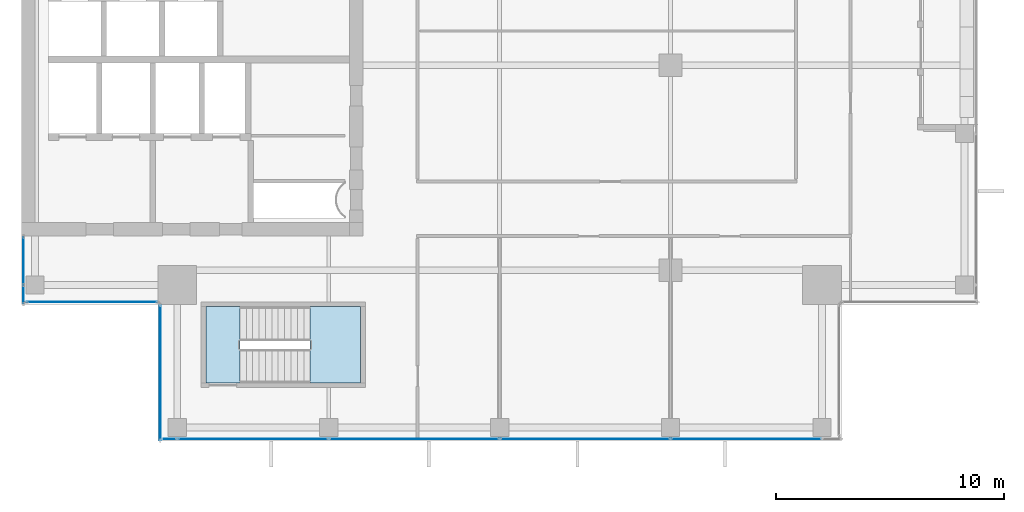
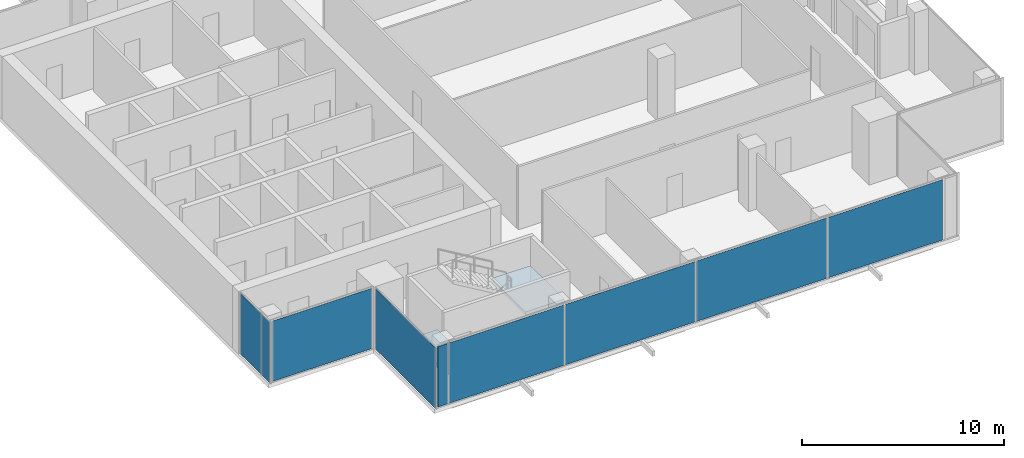
# One storey, part 19 of 29: 9 plates, 2 slabs, 5 elements without a shape of their own.
"""IFC4 building model written with IfcOpenShell, lengths in metres."""

import ifcopenshell
import ifcopenshell.guid

model = None  # the IFC model being written
_history = None  # IfcOwnerHistory: only IFC2X3 demands one
_inside = {}  # id of a spatial element -> (the spatial element, [elements in it])
_under = {}  # id of a project, library or spatial element -> (it, [spatial elements below it])
_declared = {}  # id of a project -> (the project, [libraries it declares])
_typed = {}  # id of a type object -> (the type object, [elements of that type])
_made_of = {}  # id of a material, layer set ... -> (it, [elements and type objects made of it])


def new_model(schema):
    """Start an empty IFC model of exactly this schema.

    Asked for "IFC4X3", IfcOpenShell would pick the latest addendum, in which some entities
    have other attributes; the version numbers below select the first issue.
    IFC2X3 requires an IfcOwnerHistory on every rooted entity: one is made here for all.
    """
    global model, _history
    if schema == "IFC4X3":
        model = ifcopenshell.file(schema_version=(4, 3, 0, 0))
    else:
        model = ifcopenshell.file(schema=schema)
    _inside.clear()
    _under.clear()
    _declared.clear()
    _typed.clear()
    _made_of.clear()
    _history = None
    if model.schema == "IFC2X3":
        org = make("IfcOrganization", Name="unknown")
        user = make(
            "IfcPersonAndOrganization",
            ThePerson=make("IfcPerson", FamilyName="unknown"),
            TheOrganization=org,
        )
        app = make(
            "IfcApplication",
            ApplicationDeveloper=org,
            Version="unknown",
            ApplicationFullName="unknown",
            ApplicationIdentifier="unknown",
        )
        _history = make(
            "IfcOwnerHistory",
            OwningUser=user,
            OwningApplication=app,
            ChangeAction="ADDED",
            CreationDate=0,
        )
    return model


def make(cls, **values):
    """One entity of the class cls with the attributes given. An attribute that is None is left unset."""
    return model.create_entity(
        cls, **{name: value for name, value in values.items() if value is not None}
    )


def rooted(cls, **values):
    """An entity with a GlobalId (a new one), such as an element, a storey or a relation."""
    return make(cls, GlobalId=ifcopenshell.guid.new(), OwnerHistory=_history, **values)


def si_unit(unit_type, name, prefix=None):
    """IfcSIUnit, for example si_unit("LENGTHUNIT", "METRE", prefix="MILLI")."""
    return make("IfcSIUnit", UnitType=unit_type, Prefix=prefix, Name=name)


def assignment(units):
    """IfcUnitAssignment: the units of a project."""
    return None if units is None else make("IfcUnitAssignment", Units=units)


def point(xyz):
    """IfcCartesianPoint."""
    return None if xyz is None else make("IfcCartesianPoint", Coordinates=xyz)


def direction(xyz):
    """IfcDirection."""
    return None if xyz is None else make("IfcDirection", DirectionRatios=xyz)


def frame(location, z_axis=None, x_axis=None):
    """IfcAxis2Placement3D, a coordinate frame: its origin and axes. An axis left out is left unset."""
    return make(
        "IfcAxis2Placement3D",
        Location=point(location),
        Axis=direction(z_axis),
        RefDirection=direction(x_axis),
    )


def frame_2d(location, x_axis=None):
    """IfcAxis2Placement2D, a coordinate frame in the plane: its origin and x axis."""
    return make(
        "IfcAxis2Placement2D", Location=point(location), RefDirection=direction(x_axis)
    )


def origin():
    """The frame at (0, 0, 0) with its axes left unset."""
    return frame((0.0, 0.0, 0.0))


def origin_2d():
    """The frame at (0, 0) in the plane with its x axis left unset."""
    return frame_2d((0.0, 0.0))


def place(relative_to, where):
    """IfcLocalPlacement: puts the frame where relative to a parent placement (None: the world)."""
    return make(
        "IfcLocalPlacement", PlacementRelTo=relative_to, RelativePlacement=where
    )


def context(
    kind, dimensions, precision=None, world=None, true_north=None, identifier=None
):
    """IfcGeometricRepresentationContext, for example the 3D "Model" context."""
    return make(
        "IfcGeometricRepresentationContext",
        ContextIdentifier=identifier,
        ContextType=kind,
        CoordinateSpaceDimension=dimensions,
        Precision=precision,
        WorldCoordinateSystem=world,
        TrueNorth=true_north,
    )


def subcontext(parent, identifier, kind, view, scale=None):
    """IfcGeometricRepresentationSubContext, for example "Body" below "Model"."""
    return make(
        "IfcGeometricRepresentationSubContext",
        ContextIdentifier=identifier,
        ContextType=kind,
        ParentContext=parent,
        TargetScale=scale,
        TargetView=view,
    )


def project(units=None, contexts=None):
    """IfcProject with its units and contexts."""
    return rooted(
        "IfcProject",
        Name="project",
        RepresentationContexts=contexts,
        UnitsInContext=assignment(units),
    )


def spatial(cls, under=None, at=None, **own):
    """A site, building, storey or space (cls), placed at a placement, below another one or the project."""
    s = rooted(cls, ObjectPlacement=at, **own)
    if under is not None:
        _under.setdefault(under.id(), (under, []))[1].append(s)
    return s


def polyline(points):
    """IfcPolyline through the points."""
    return make("IfcPolyline", Points=[point(p) for p in points])


def profile(cls, at=None, kind="AREA", **sizes):
    """A parametric profile (cls). Its sizes go by their IFC names, for example OverallWidth=200.0."""
    return make(cls, ProfileType=kind, Position=at, **sizes)


def rectangle(**sizes):
    """IfcRectangleProfileDef."""
    return profile("IfcRectangleProfileDef", **sizes)


def outline(outer, holes=None, kind="AREA"):
    """IfcArbitraryClosedProfileDef: a profile drawn as a closed curve; with holes, ...WithVoids."""
    if holes is None:
        return make("IfcArbitraryClosedProfileDef", ProfileType=kind, OuterCurve=outer)
    return make(
        "IfcArbitraryProfileDefWithVoids",
        ProfileType=kind,
        OuterCurve=outer,
        InnerCurves=holes,
    )


def extrude(swept, where, along, depth):
    """IfcExtrudedAreaSolid: the profile swept, set in the frame where, extruded along a direction by depth."""
    return make(
        "IfcExtrudedAreaSolid",
        SweptArea=swept,
        Position=where,
        ExtrudedDirection=direction(along),
        Depth=depth,
    )


def shape(context_of_items, identifier, shape_type, items):
    """IfcShapeRepresentation: the items that make up one representation, for example the "Body"."""
    return make(
        "IfcShapeRepresentation",
        ContextOfItems=context_of_items,
        RepresentationIdentifier=identifier,
        RepresentationType=shape_type,
        Items=items,
    )


def source(mapping_origin, context_of_items, identifier, shape_type, items):
    """IfcRepresentationMap: a shape defined once, which mapped items show again and again."""
    return make(
        "IfcRepresentationMap",
        MappingOrigin=mapping_origin,
        MappedRepresentation=shape(context_of_items, identifier, shape_type, items),
    )


def transform(
    local_origin,
    x_axis=None,
    y_axis=None,
    z_axis=None,
    scale=None,
    scale2=None,
    scale3=None,
    uniform=True,
):
    """IfcCartesianTransformationOperator3D, or its non-uniform kind. x_axis, y_axis, z_axis: its Axis1, 2, 3."""
    if uniform:
        return make(
            "IfcCartesianTransformationOperator3D",
            Axis1=direction(x_axis),
            Axis2=direction(y_axis),
            LocalOrigin=point(local_origin),
            Scale=scale,
            Axis3=direction(z_axis),
        )
    return make(
        "IfcCartesianTransformationOperator3DnonUniform",
        Axis1=direction(x_axis),
        Axis2=direction(y_axis),
        LocalOrigin=point(local_origin),
        Scale=scale,
        Axis3=direction(z_axis),
        Scale2=scale2,
        Scale3=scale3,
    )


def mapped(mapping_source, mapping_target):
    """IfcMappedItem: shows the shape of a source again, moved by a transform."""
    return make(
        "IfcMappedItem", MappingSource=mapping_source, MappingTarget=mapping_target
    )


def material(Name=None, Category=None):
    """IfcMaterial."""
    return make("IfcMaterial", Name=Name, Category=Category)


def layer(
    of_material, thickness, ventilated=None, Name=None, Category=None, Priority=None
):
    """IfcMaterialLayer: one layer of a wall or slab, of a material (None: an air gap)."""
    return make(
        "IfcMaterialLayer",
        Material=of_material,
        LayerThickness=thickness,
        IsVentilated=ventilated,
        Name=Name,
        Category=Category,
        Priority=Priority,
    )


def layer_set(layers, Name=None):
    """IfcMaterialLayerSet."""
    return make("IfcMaterialLayerSet", MaterialLayers=layers, LayerSetName=Name)


def made_of(thing, what):
    """Note that an element or type object is made of a material, layer set ...; save() writes the relation."""
    if what is not None:
        _made_of.setdefault(what.id(), (what, []))[1].append(thing)
    return thing


def type_object(cls, material=None, **own):
    """A type object (cls), such as IfcWallType, which elements share."""
    return made_of(rooted(cls, **own), material)


def element(
    cls,
    number,
    at=None,
    inside=None,
    cuts=None,
    type_object=None,
    material=None,
    context=None,
    identifier="Body",
    shape_type=None,
    held_by="IfcProductDefinitionShape",
    body=None,
    shapes=None,
    **own,
):
    """One element of the class cls, such as IfcWall. Its Tag is "e" and its number.

    at: its placement. inside: the storey or other place that contains it. cuts: it is an
    opening in that element (IfcRelVoidsElement). A single representation is given by context,
    identifier, shape_type and body (its items); several are given by shapes. held_by: the class
    of the entity that holds the representations. save() writes the other relations.
    """
    e = rooted(cls, Tag="e%d" % number, ObjectPlacement=at, **own)
    if body is not None:
        shapes = [shape(context, identifier, shape_type, body)]
    if shapes is not None:
        e.Representation = make(held_by, Representations=shapes)
    if inside is not None:
        _inside.setdefault(inside.id(), (inside, []))[1].append(e)
    if cuts is not None:
        rooted(
            "IfcRelVoidsElement", RelatingBuildingElement=cuts, RelatedOpeningElement=e
        )
    if type_object is not None:
        _typed.setdefault(type_object.id(), (type_object, []))[1].append(e)
    return made_of(e, material)


def aggregate(whole, parts):
    """IfcRelAggregates: a whole, such as a stair, and the parts it consists of."""
    return rooted("IfcRelAggregates", RelatingObject=whole, RelatedObjects=parts)


def save(model, path):
    """Write the relations noted so far, then the file.

    IfcRelAggregates (storeys below a building ...), IfcRelContainedInSpatialStructure (elements
    in a storey), IfcRelDefinesByType, IfcRelAssociatesMaterial and IfcRelDeclares: one each for
    every whole, place, type object, material and project.
    """
    for whole, parts in _under.values():
        aggregate(whole, parts)
    for where, things in _inside.values():
        rooted(
            "IfcRelContainedInSpatialStructure",
            RelatedElements=things,
            RelatingStructure=where,
        )
    for kind, things in _typed.values():
        rooted("IfcRelDefinesByType", RelatedObjects=things, RelatingType=kind)
    for what, things in _made_of.values():
        rooted("IfcRelAssociatesMaterial", RelatedObjects=things, RelatingMaterial=what)
    for by, libraries in _declared.values():
        rooted("IfcRelDeclares", RelatingContext=by, RelatedDefinitions=libraries)
    model.write(path)


model = new_model("IFC4")

# Units and contexts
model_context = context("Model", 3, precision=1e-05, world=origin(), true_north=direction((0.0, 1.0)))
body_context = subcontext(model_context, "Body", "Model", "MODEL_VIEW")
ifc_project = project(units=[si_unit("LENGTHUNIT", "METRE"), si_unit("AREAUNIT", "SQUARE_METRE"), si_unit("VOLUMEUNIT", "CUBIC_METRE"), si_unit("PLANEANGLEUNIT", "RADIAN"), si_unit("MASSUNIT", "GRAM", prefix="KILO")], contexts=[model_context])

# Site, building, storey
site_placement = place(None, origin())
site = spatial("IfcSite", under=ifc_project, at=site_placement, CompositionType="ELEMENT")
building_placement = place(site_placement, origin())
building = spatial("IfcBuilding", under=site, at=building_placement, Name="Khomas Fold Tower", CompositionType="ELEMENT")
storey_placement = place(building_placement, frame((0.0, 0.0, 286.199951171875)))
storey = spatial("IfcBuildingStorey", under=building, at=storey_placement, Name="L64", CompositionType="ELEMENT", Elevation=286.199951171875)

# Curtain wall, plates
ifc_material_1 = material(Name="Aluminium framed double glazing", Category="aluminium")
curtain_wall_type = type_object("IfcCurtainWallType", Name="SK-Unitised clear-glass wall, upper floors CW3", PredefinedType="NOTDEFINED", material=ifc_material_1)
curtain_wall_1_placement = place(storey_placement, origin())
curtain_wall_1 = element("IfcCurtainWall", 1, at=curtain_wall_1_placement, inside=storey, type_object=curtain_wall_type, Name="CW3 run L64 00-0", PredefinedType="NOTDEFINED")
ifc_material_2 = material(Name="Clear double glazed unit")
ifc_layer_1 = layer(ifc_material_2, 0.028076171875)
ifc_layer_set_1 = layer_set([ifc_layer_1], Name="Clear double glazed unit")
plate_type = type_object("IfcPlateType", Name="SK-Unitised clear-glass wall, upper floors glass panel CW3-P", PredefinedType="CURTAIN_PANEL", material=ifc_layer_set_1)
shared_shape_1 = source(origin(), body_context, "Body", "SweptSolid", [
    extrude(rectangle(XDim=0.574951171875, YDim=0.028076171875, at=origin_2d()), origin(), (0.0, 0.0, 1.0), 3.64990234375),
])
plate_1_placement = place(storey_placement, frame((12.53759765625, 6.10009765625, 0.0), z_axis=(0.0, 0.0, 1.0), x_axis=(1.0, 0.0, 0.0)))
plate_1 = element("IfcPlate", 2, at=plate_1_placement, type_object=plate_type, Name="CW3 glass panel 1", PredefinedType="CURTAIN_PANEL", context=body_context, shape_type="MappedRepresentation", body=[
    mapped(shared_shape_1, transform((0.0, 0.0, 0.0))),
])
shared_shape_2 = source(origin(), body_context, "Body", "SweptSolid", [
    extrude(rectangle(XDim=6.60009765625, YDim=0.028076171875, at=origin_2d()), origin(), (0.0, 0.0, 1.0), 3.64990234375),
])
plate_2_placement = place(storey_placement, frame((16.175048828125, 6.10009765625, 0.0), z_axis=(0.0, 0.0, 1.0), x_axis=(1.0, 0.0, 0.0)))
plate_2 = element("IfcPlate", 3, at=plate_2_placement, type_object=plate_type, Name="CW3 glass panel 2", PredefinedType="CURTAIN_PANEL", context=body_context, shape_type="MappedRepresentation", body=[
    mapped(shared_shape_2, transform((0.0, 0.0, 0.0))),
])
plate_3_placement = place(storey_placement, frame((37.824951171875, 6.10009765625, 0.0), z_axis=(0.0, 0.0, 1.0), x_axis=(1.0, 0.0, 0.0)))
plate_3 = element("IfcPlate", 4, at=plate_3_placement, type_object=plate_type, Name="CW3 glass panel 5", PredefinedType="CURTAIN_PANEL", context=body_context, shape_type="MappedRepresentation", body=[
    mapped(shared_shape_2, transform((0.0, 0.0, 0.0))),
])
shared_shape_3 = source(origin(), body_context, "Body", "SweptSolid", [
    extrude(rectangle(XDim=7.449951171875, YDim=0.028076171875, at=origin_2d()), origin(), (0.0, 0.0, 1.0), 3.64990234375),
])
plate_4_placement = place(storey_placement, frame((23.25, 6.10009765625, 0.0), z_axis=(0.0, 0.0, 1.0), x_axis=(1.0, 0.0, 0.0)))
plate_4 = element("IfcPlate", 5, at=plate_4_placement, type_object=plate_type, Name="CW3 glass panel 3", PredefinedType="CURTAIN_PANEL", context=body_context, shape_type="MappedRepresentation", body=[
    mapped(shared_shape_3, transform((0.0, 0.0, 0.0))),
])
plate_5_placement = place(storey_placement, frame((30.75, 6.10009765625, 0.0), z_axis=(0.0, 0.0, 1.0), x_axis=(1.0, 0.0, 0.0)))
plate_5 = element("IfcPlate", 6, at=plate_5_placement, type_object=plate_type, Name="CW3 glass panel 4", PredefinedType="CURTAIN_PANEL", context=body_context, shape_type="MappedRepresentation", body=[
    mapped(shared_shape_3, transform((0.0, 0.0, 0.0))),
])
aggregate(curtain_wall_1, [plate_1, plate_2, plate_4, plate_5, plate_3])

# Curtain wall, plate
curtain_wall_2_placement = place(storey_placement, origin())
curtain_wall_2 = element("IfcCurtainWall", 7, at=curtain_wall_2_placement, inside=storey, type_object=curtain_wall_type, Name="CW3 run L64 09-1", PredefinedType="NOTDEFINED")
shared_shape_4 = source(origin(), body_context, "Body", "SweptSolid", [
    extrude(rectangle(XDim=0.77490234375, YDim=0.028076171875, at=origin_2d()), origin(), (0.0, 0.0, 1.0), 3.64990234375),
])
plate_6_placement = place(storey_placement, frame((6.10009765625, 12.4375, 0.0), z_axis=(0.0, 0.0, 1.0), x_axis=(0.0, -1.0, 0.0)))
plate_6 = element("IfcPlate", 8, at=plate_6_placement, type_object=plate_type, Name="CW3 glass panel 2", PredefinedType="CURTAIN_PANEL", context=body_context, shape_type="MappedRepresentation", body=[
    mapped(shared_shape_4, transform((0.0, 0.0, 0.0))),
])

curtain_wall_3_placement = place(storey_placement, origin())
curtain_wall_3 = element("IfcCurtainWall", 9, at=curtain_wall_3_placement, inside=storey, type_object=curtain_wall_type, Name="CW3 corner return L64 10", PredefinedType="NOTDEFINED")
shared_shape_5 = source(origin(), body_context, "Body", "SweptSolid", [
    extrude(rectangle(XDim=5.699951171875, YDim=0.028076171875, at=origin_2d()), origin(), (0.0, 0.0, 1.0), 3.64990234375),
])
plate_7_placement = place(storey_placement, frame((9.10009765625, 12.10009765625, 0.0), z_axis=(0.0, 0.0, 1.0), x_axis=(1.0, 0.0, 0.0)))
plate_7 = element("IfcPlate", 10, at=plate_7_placement, type_object=plate_type, Name="CW3 glass panel 1", PredefinedType="CURTAIN_PANEL", context=body_context, shape_type="MappedRepresentation", body=[
    mapped(shared_shape_5, transform((0.0, 0.0, 0.0))),
])
aggregate(curtain_wall_3, [plate_7])

curtain_wall_4_placement = place(storey_placement, origin())
curtain_wall_4 = element("IfcCurtainWall", 11, at=curtain_wall_4_placement, inside=storey, type_object=curtain_wall_type, Name="CW3 corner return L64 11", PredefinedType="NOTDEFINED")
shared_shape_6 = source(origin(), body_context, "Body", "SweptSolid", [
    extrude(rectangle(XDim=5.89990234375, YDim=0.028076171875, at=origin_2d()), origin(), (0.0, 0.0, 1.0), 3.64990234375),
])
plate_8_placement = place(storey_placement, frame((12.10009765625, 9.0, 0.0), z_axis=(0.0, 0.0, 1.0), x_axis=(0.0, -1.0, 0.0)))
plate_8 = element("IfcPlate", 12, at=plate_8_placement, type_object=plate_type, Name="CW3 glass panel 1", PredefinedType="CURTAIN_PANEL", context=body_context, shape_type="MappedRepresentation", body=[
    mapped(shared_shape_6, transform((0.0, 0.0, 0.0))),
])
aggregate(curtain_wall_4, [plate_8])

# Plate
shared_shape_7 = source(origin(), body_context, "Body", "SweptSolid", [
    extrude(rectangle(XDim=2.074951171875, YDim=0.028076171875, at=origin_2d()), origin(), (0.0, 0.0, 1.0), 3.64990234375),
])
plate_9_placement = place(storey_placement, frame((6.10009765625, 13.91259765625, 0.0), z_axis=(0.0, 0.0, 1.0), x_axis=(0.0, -1.0, 0.0)))
plate_9 = element("IfcPlate", 13, at=plate_9_placement, type_object=plate_type, Name="CW3 glass panel 1", PredefinedType="CURTAIN_PANEL", context=body_context, shape_type="MappedRepresentation", body=[
    mapped(shared_shape_7, transform((0.0, 0.0, 0.0))),
])

aggregate(curtain_wall_2, [plate_9, plate_6])

# Stair, slab
ifc_material_3 = material(Name="Concrete C40/50", Category="concrete")
stair_type = type_object("IfcStairType", Name="Stair ST2", PredefinedType="HALF_TURN_STAIR", material=ifc_material_3)
stair_placement = place(storey_placement, origin())
stair = element("IfcStair", 14, at=stair_placement, inside=storey, type_object=stair_type, Name="L64 ST2", PredefinedType="HALF_TURN_STAIR")
ifc_material_4 = material(Name="Concrete C40/50", Category="concrete")
ifc_layer_2 = layer(ifc_material_4, 0.199951171875)
ifc_layer_set_2 = layer_set([ifc_layer_2], Name="Concrete C40/50")
slab_type_1 = type_object("IfcSlabType", Name="Stair landing 200", PredefinedType="LANDING", material=ifc_layer_set_2)
shared_shape_8 = source(origin(), body_context, "Body", "SweptSolid", [
    extrude(outline(polyline([(18.679931640625, 8.550048828125), (20.89990234375, 8.550048828125), (20.89990234375, 11.89990234375), (18.679931640625, 11.89990234375), (18.679931640625, 8.550048828125)])), origin(), (0.0, 0.0, 1.0), 0.199951171875),
])
slab_1_placement = place(storey_placement, frame((0.0, 0.0, 1.800048828125)))
slab_1 = element("IfcSlab", 15, at=slab_1_placement, type_object=slab_type_1, Name="ST2 landing 1", PredefinedType="LANDING", context=body_context, shape_type="MappedRepresentation", body=[
    mapped(shared_shape_8, transform((0.0, 0.0, 0.0))),
])
aggregate(stair, [slab_1])

# Slab
ifc_material_5 = material(Name="Concrete C40/50", Category="concrete")
ifc_layer_3 = layer(ifc_material_5, 0.25)
ifc_layer_set_3 = layer_set([ifc_layer_3], Name="Concrete C40/50")
slab_type_2 = type_object("IfcSlabType", Name="Stair floor landing 250", PredefinedType="LANDING", material=ifc_layer_set_3)
shared_shape_9 = source(origin(), body_context, "Body", "SweptSolid", [
    extrude(outline(polyline([(15.60009765625, 8.550048828125), (14.10009765625, 8.550048828125), (14.10009765625, 11.89990234375), (15.60009765625, 11.89990234375), (15.60009765625, 8.550048828125)])), origin(), (0.0, 0.0, 1.0), 0.25),
])
slab_2_placement = place(storey_placement, frame((0.0, 0.0, -0.25)))
element("IfcSlab", 16, at=slab_2_placement, inside=storey, type_object=slab_type_2, Name="ST2 floor landing", PredefinedType="LANDING", context=body_context, shape_type="MappedRepresentation", body=[
    mapped(shared_shape_9, transform((0.0, 0.0, 0.0))),
])

save(model, "model.ifc")
